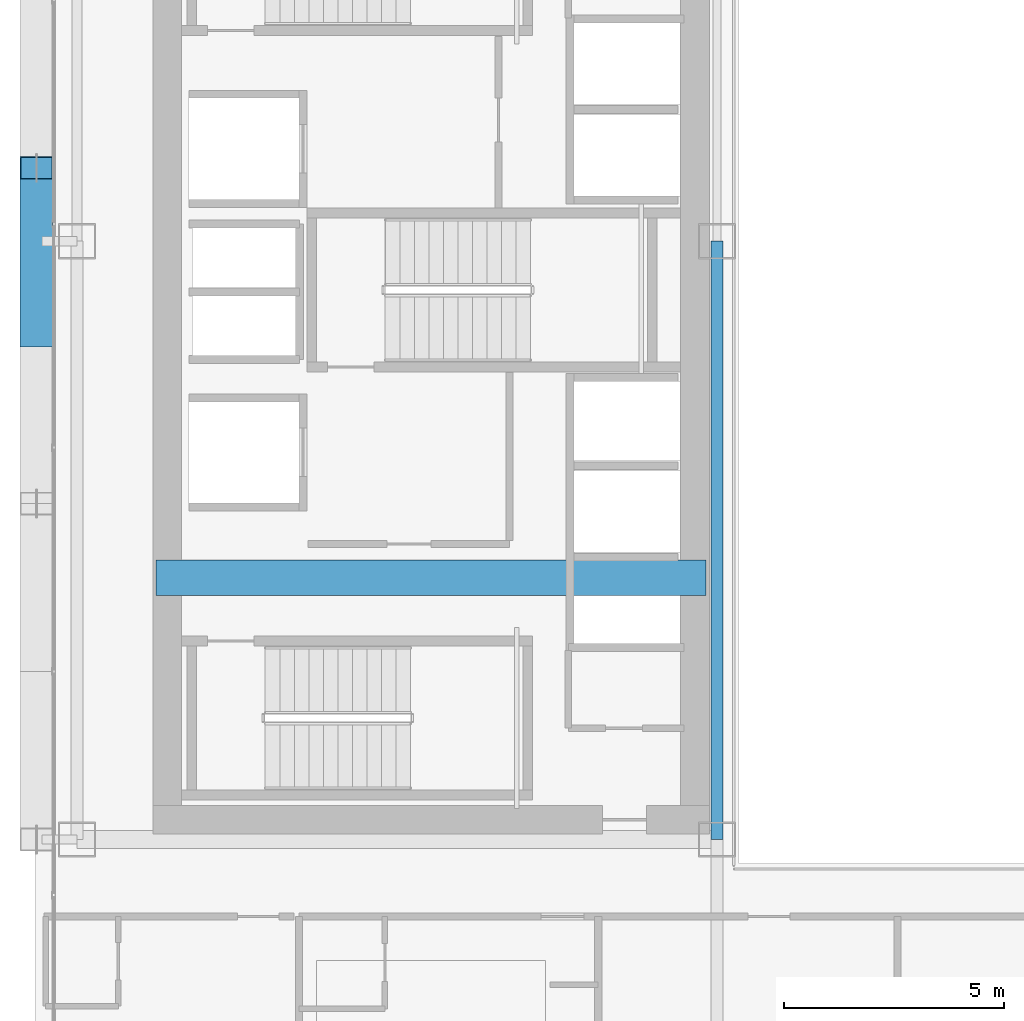
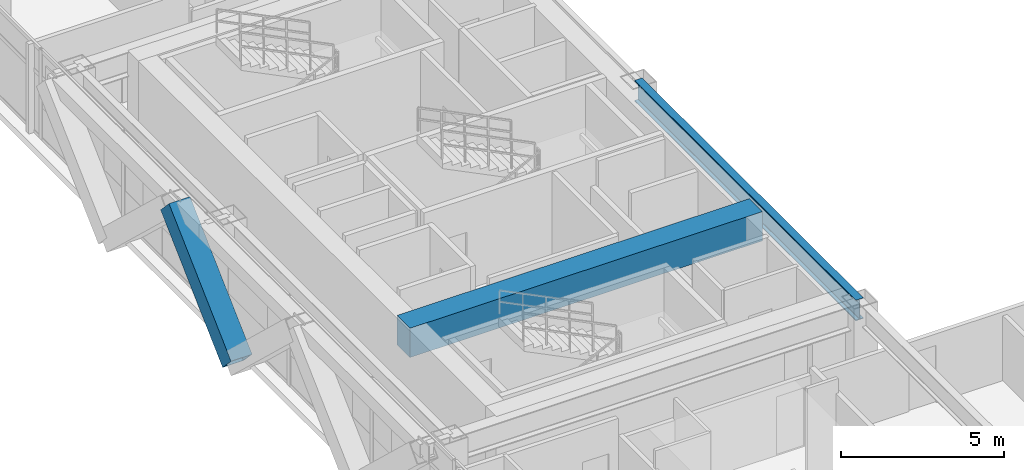
# One storey, part 7 of 35: 2 beams, 1 member.
"""IFC4 building model written with IfcOpenShell, lengths in metres."""

from ifc_helpers import new_model, si_unit, direction, frame, origin, origin_2d, place, context, subcontext, project, spatial, rectangle, hollow_rectangle, i_section, extrude, source, transform, mapped, material, material_profile, profile_set, type_object, element, save


model = new_model("IFC4")

# Units and contexts
model_context = context("Model", 3, precision=1e-05, world=origin(), true_north=direction((0.0, 1.0)))
body_context = subcontext(model_context, "Body", "Model", "MODEL_VIEW")
ifc_project = project(units=[si_unit("LENGTHUNIT", "METRE"), si_unit("AREAUNIT", "SQUARE_METRE"), si_unit("VOLUMEUNIT", "CUBIC_METRE"), si_unit("PLANEANGLEUNIT", "RADIAN"), si_unit("MASSUNIT", "GRAM", prefix="KILO")], contexts=[model_context])

# Site, building, storey
site_placement = place(None, origin())
site = spatial("IfcSite", under=ifc_project, at=site_placement, CompositionType="ELEMENT")
building_placement = place(site_placement, origin())
building = spatial("IfcBuilding", under=site, at=building_placement, Name="Ocotamira Hotel", CompositionType="ELEMENT")
storey_placement = place(building_placement, frame((0.0, 0.0, 144.0)))
storey = spatial("IfcBuildingStorey", under=building, at=storey_placement, Name="L36", CompositionType="ELEMENT", Elevation=144.0)

# Beams
ifc_material_1 = material(Name="Concrete C60/75", Category="concrete")
ifc_material_profile_1 = material_profile(ifc_material_1, rectangle(XDim=0.800048828125, YDim=1.10009765625, at=origin_2d()), Name="RC800X1100")
ifc_profile_set_1 = profile_set([ifc_material_profile_1], Name="Concrete C60/75")
beam_type_1 = type_object("IfcBeamType", Name="BM-LINK-RC800", PredefinedType="LINTEL", material=ifc_profile_set_1)
shared_shape_1 = source(origin(), body_context, "Body", "SweptSolid", [
    extrude(rectangle(XDim=0.800048828125, YDim=1.10009765625, at=origin_2d()), origin(), (0.0, 0.0, 1.0), 12.5),
])
beam_1_placement = place(storey_placement, frame((10.75, 20.5, 2.81005859375), z_axis=(1.0, 0.0, 0.0), x_axis=(0.0, 1.0, 0.0)))
element("IfcBeam", 1, at=beam_1_placement, inside=storey, type_object=beam_type_1, Name="L36 West Core Coupling Beam", PredefinedType="LINTEL", context=body_context, shape_type="MappedRepresentation", body=[
    mapped(shared_shape_1, transform((0.0, 0.0, 0.0), scale=1.0)),
])
ifc_material_2 = material(Name="Steel ASTM A992 Grade 50", Category="steel")
ifc_material_profile_2 = material_profile(ifc_material_2, i_section(OverallWidth=0.26611328125, OverallDepth=0.779052734375, WebThickness=0.0166015625, FlangeThickness=0.030029296875, FilletRadius=0.01806640625, at=origin_2d()), Name="W30X148")
ifc_profile_set_2 = profile_set([ifc_material_profile_2], Name="Steel ASTM A992 Grade 50")
beam_type_2 = type_object("IfcBeamType", Name="BM-GIRD-W30X148", PredefinedType="BEAM", material=ifc_profile_set_2)
shared_shape_2 = source(origin(), body_context, "Body", "SweptSolid", [
    extrude(i_section(OverallWidth=0.26611328125, OverallDepth=0.779052734375, WebThickness=0.0166015625, FlangeThickness=0.030029296875, FilletRadius=0.01806640625, at=origin_2d()), origin(), (0.0, 0.0, 1.0), 13.599853515625),
])
beam_2_placement = place(storey_placement, frame((23.5, 14.550048828125, 2.970458984375), z_axis=(0.0, 1.0, 0.0), x_axis=(-1.0, 0.0, 0.0)))
element("IfcBeam", 2, at=beam_2_placement, inside=storey, type_object=beam_type_2, Name="L36 Beam X23.5 Y14.55-28.15", PredefinedType="BEAM", context=body_context, shape_type="MappedRepresentation", body=[
    mapped(shared_shape_2, transform((0.0, 0.0, 0.0), scale=1.0)),
])

# Member
ifc_material_3 = material(Name="Pale-metal coated steel ASTM A913 Grade 65", Category="steel")
ifc_material_profile_3 = material_profile(ifc_material_3, hollow_rectangle(XDim=0.75, YDim=0.75, WallThickness=0.028076171875, at=origin_2d()), Name="BOX750X750X28")
ifc_profile_set_3 = profile_set([ifc_material_profile_3], Name="Pale-metal coated steel ASTM A913 Grade 65")
member_type = type_object("IfcMemberType", Name="MEM-EXO-BOX750", PredefinedType="BRACE", material=ifc_profile_set_3)
shared_shape_3 = source(origin(), body_context, "Body", "SweptSolid", [
    extrude(hollow_rectangle(XDim=0.75, YDim=0.75, WallThickness=0.028076171875, at=origin_2d()), origin(), (0.0, 0.0, 1.0), 5.24658203125),
])
member_placement = place(storey_placement, frame((8.030029296875, 26.0, -0.489990234375), z_axis=(0.0, 0.727442733726, 0.686168397078), x_axis=(-1.0, 0.0, 0.0)))
element("IfcMember", 3, at=member_placement, inside=storey, type_object=member_type, Name="L36 Exoskeleton Diagrid W1.2", PredefinedType="BRACE", context=body_context, shape_type="MappedRepresentation", body=[
    mapped(shared_shape_3, transform((0.0, 0.0, 0.0), scale=1.0)),
])

save(model, "model.ifc")
